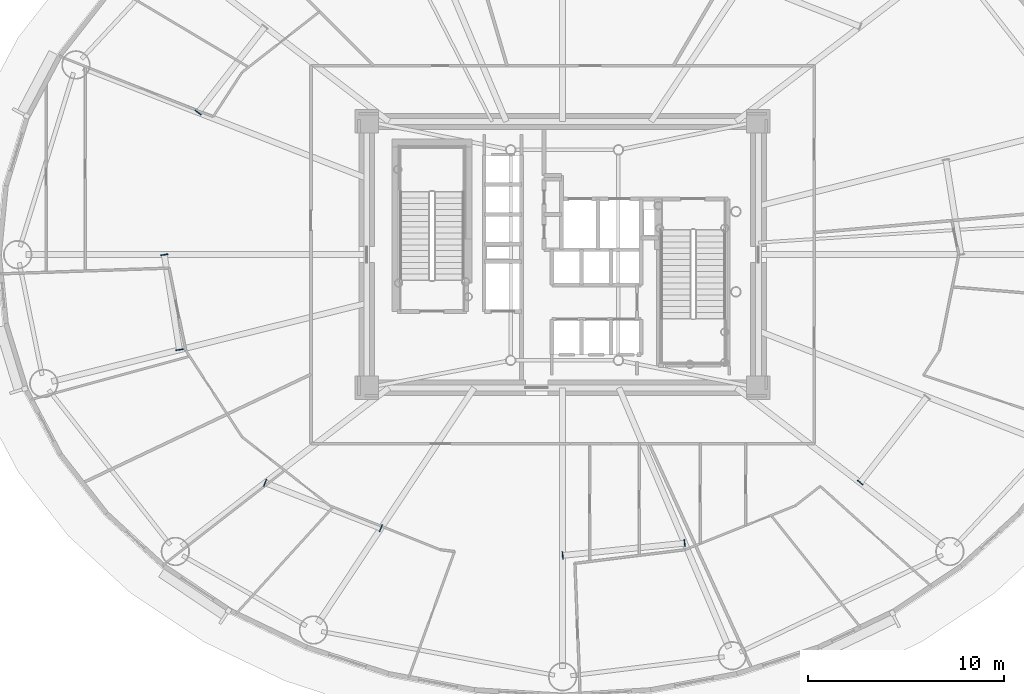
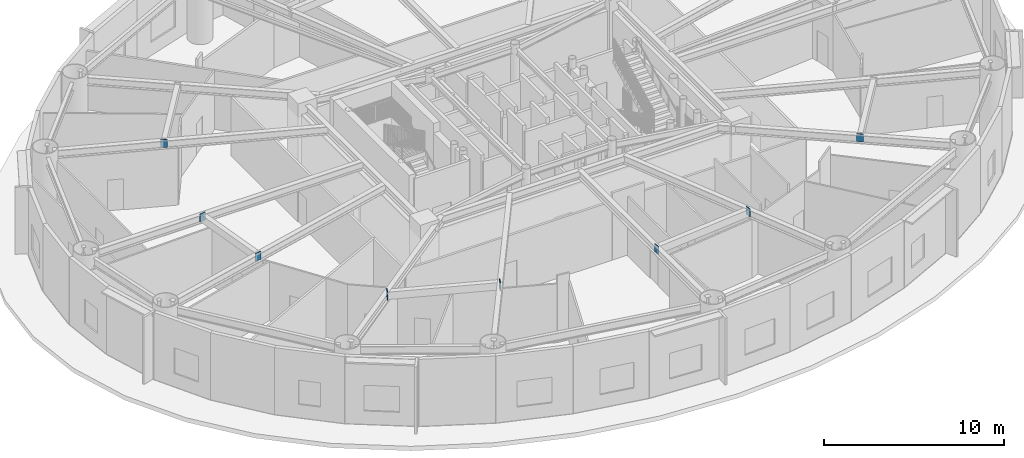
# One storey, part 7 of 19: 8 plates.
"""IFC4 building model written with IfcOpenShell, lengths in metres."""

from ifc_helpers import new_model, si_unit, direction, frame, origin, origin_2d, place, context, subcontext, project, spatial, rectangle, extrude, source, transform, mapped, material, layer, layer_set, type_object, element, save


model = new_model("IFC4")

# Units and contexts
model_context = context("Model", 3, precision=1e-05, world=origin(), true_north=direction((0.0, 1.0)))
body_context = subcontext(model_context, "Body", "Model", "MODEL_VIEW")
ifc_project = project(units=[si_unit("LENGTHUNIT", "METRE"), si_unit("AREAUNIT", "SQUARE_METRE"), si_unit("VOLUMEUNIT", "CUBIC_METRE"), si_unit("PLANEANGLEUNIT", "RADIAN"), si_unit("MASSUNIT", "GRAM", prefix="KILO")], contexts=[model_context])

# Site, building, storey
site_placement = place(None, origin())
site = spatial("IfcSite", under=ifc_project, at=site_placement, CompositionType="ELEMENT")
building_placement = place(site_placement, origin())
building = spatial("IfcBuilding", under=site, at=building_placement, Name="Linh Dai School and Residence Tower", CompositionType="ELEMENT")
storey_placement = place(building_placement, frame((0.0, 0.0, 92.39990234375)))
storey = spatial("IfcBuildingStorey", under=building, at=storey_placement, Name="L21", CompositionType="ELEMENT", Elevation=92.39990234375)

# Plates
ifc_material = material(Name="Structural Steel S355JR", Category="steel")
ifc_layer = layer(ifc_material, 0.0400390625)
ifc_layer_set = layer_set([ifc_layer], Name="Structural Steel S355JR")
plate_type = type_object("IfcPlateType", Name="PLT-GP1", PredefinedType="USERDEFINED", material=ifc_layer_set)
shared_shape = source(origin(), body_context, "Body", "SweptSolid", [
    extrude(rectangle(XDim=0.0400390625, YDim=0.3798828125, at=origin_2d()), origin(), (0.0, 0.0, 1.0), 0.5400390625),
])
for number, where, z_axis, x_axis, name in (
    (1, (17.390625, 34.260009765625, 4.030029296875), (0.0, 0.0, 1.0), (-0.614362913717, -0.789023580287, 0.0), "L21 Secondary Beam End Plate 04B"),
    (2, (15.662353515625, 26.9951171875, 4.030029296875), (0.0, 0.0, 1.0), (0.157025103807, -0.987594611556, 0.0), "L21 Secondary Beam End Plate 05A"),
    (3, (16.43359375, 22.14453125, 4.030029296875), (0.0, 0.0, 1.0), (0.157025103807, -0.987594611556, 0.0), "L21 Secondary Beam End Plate 05B"),
    (4, (20.810546875, 15.35205078125, 4.030029296875), (0.0, 0.0, 1.0), (0.930752465806, -0.3656498973, 0.0), "L21 Secondary Beam End Plate 06A"),
    (5, (26.720703125, 13.030029296875, 4.030029296875), (0.0, 0.0, 1.0), (0.930752465806, -0.3656498973, 0.0), "L21 Secondary Beam End Plate 06B"),
    (6, (36.0048828125, 11.642578125, 4.030029296875), (0.0, 0.0, 1.0), (0.995041739642, 0.09945821419, 0.0), "L21 Secondary Beam End Plate 07A"),
    (7, (42.2294921875, 12.2646484375, 4.030029296875), (0.0, 0.0, 1.0), (0.995041739642, 0.09945821419, 0.0), "L21 Secondary Beam End Plate 07B"),
    (8, (51.197265625, 15.35791015625, 4.030029296875), (0.0, 0.0, 1.0), (0.614362913717, 0.789023580287, 0.0), "L21 Secondary Beam End Plate 08A"),
):
    element("IfcPlate", number, at=place(storey_placement, frame(where, z_axis=z_axis, x_axis=x_axis)), inside=storey, type_object=plate_type, Name=name, ObjectType="GUSSET PLATE", PredefinedType="USERDEFINED", context=body_context, shape_type="MappedRepresentation", body=[
        mapped(shared_shape, transform((0.0, 0.0, 0.0), x_axis=(1.0, 0.0, 0.0), y_axis=(0.0, 1.0, 0.0), z_axis=(0.0, 0.0, 1.0), scale=1.0)),
    ])

save(model, "model.ifc")
